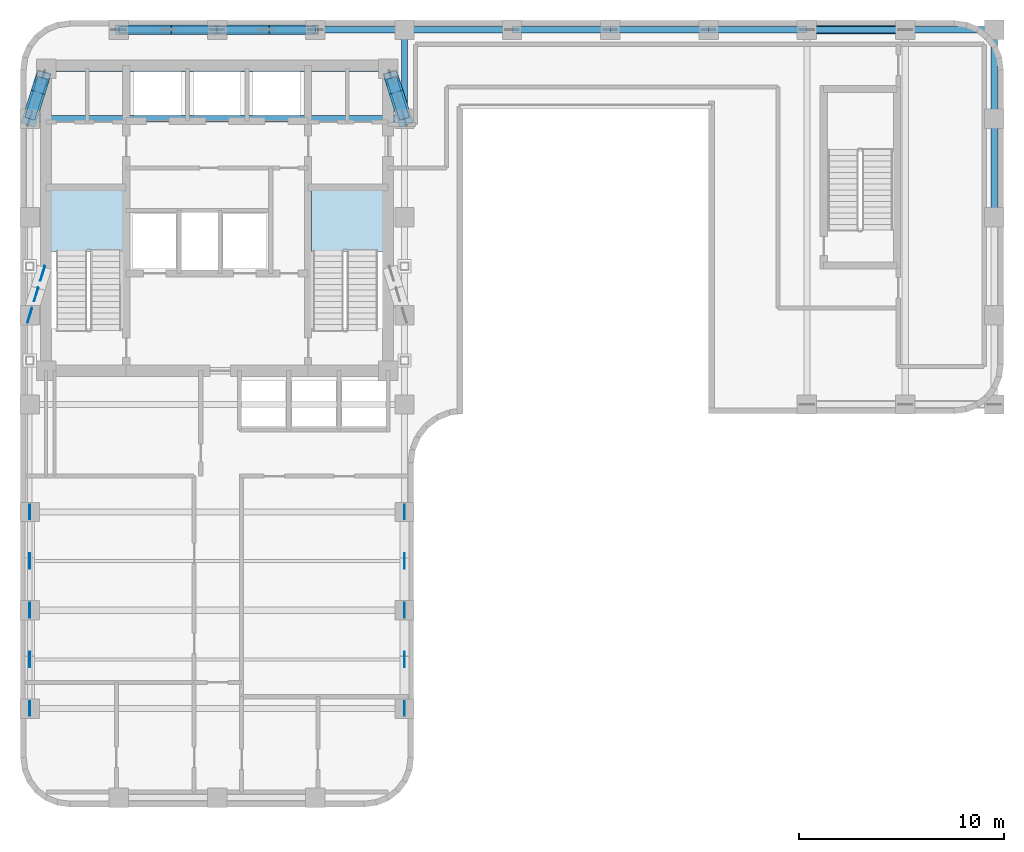
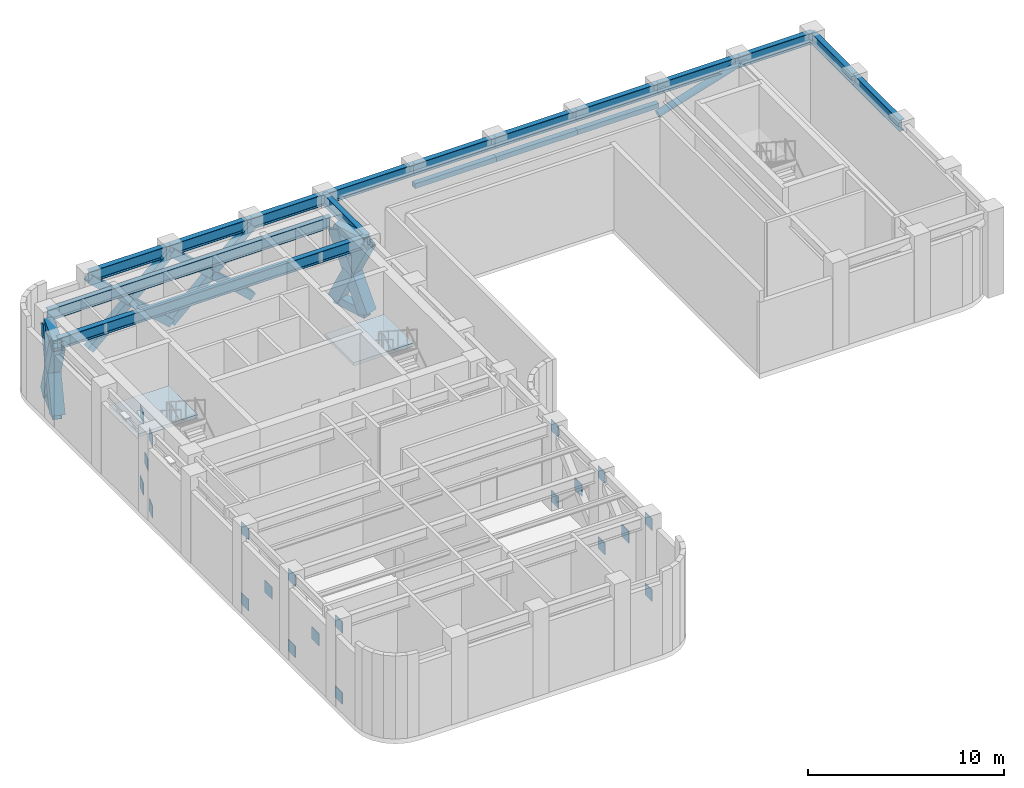
# One storey, part 2 of 9: 21 plates, 20 members, 14 beams, 2 slabs, 2 elements without a shape of their own.
"""IFC4 building model written with IfcOpenShell, lengths in metres."""

from ifc_helpers import new_model, si_unit, direction, frame, origin, origin_2d, place, context, subcontext, project, spatial, polyline, rectangle, hollow_rectangle, hollow_circle, i_section, outline, extrude, material, layer, layer_set, material_profile, profile_set, type_object, element, aggregate, save


model = new_model("IFC4")

# Units and contexts
model_context = context("Model", 3, precision=1e-05, world=origin(), true_north=direction((0.0, 1.0)))
body_context = subcontext(model_context, "Body", "Model", "MODEL_VIEW")
ifc_project = project(units=[si_unit("LENGTHUNIT", "METRE"), si_unit("AREAUNIT", "SQUARE_METRE"), si_unit("VOLUMEUNIT", "CUBIC_METRE"), si_unit("PLANEANGLEUNIT", "RADIAN"), si_unit("MASSUNIT", "GRAM", prefix="KILO")], contexts=[model_context])

# Site, building, storey
site_placement = place(None, origin())
site = spatial("IfcSite", under=ifc_project, at=site_placement, CompositionType="ELEMENT")
building_placement = place(site_placement, origin())
building = spatial("IfcBuilding", under=site, at=building_placement, Name="Orvandelia Arch Residences", CompositionType="ELEMENT")
storey_placement = place(building_placement, frame((0.0, 0.0, 198.39990234375)))
storey = spatial("IfcBuildingStorey", under=building, at=storey_placement, Name="L52", CompositionType="ELEMENT", Elevation=198.39990234375)

# Beams
ifc_material_1 = material(Name="Structural Steel SM355 (355 MPa)", Category="steel")
ifc_material_profile_1 = material_profile(ifc_material_1, i_section(OverallWidth=0.300048828125, OverallDepth=0.699951171875, WebThickness=0.012939453125, FlangeThickness=0.02392578125, FilletRadius=0.02392578125, at=origin_2d()), Name="Structural Steel SM355 (355 MPa)", Category="steel")
ifc_profile_set_1 = profile_set([ifc_material_profile_1], Name="Structural Steel SM355 (355 MPa)")
beam_type = type_object("IfcBeamType", Name="BM-GRD-H700", PredefinedType="BEAM", material=ifc_profile_set_1)
beam_1_placement = place(storey_placement, frame((23.550048828125, 43.199951171875, 4.830078125), z_axis=(0.0, 1.0, 0.0), x_axis=(-1.0, 0.0, 0.0)))
element("IfcBeam", 1, at=beam_1_placement, inside=storey, type_object=beam_type, Name="Structural Frame Beam L52-NS-015", PredefinedType="BEAM", context=body_context, shape_type="SweptSolid", body=[
    extrude(i_section(OverallWidth=0.300048828125, OverallDepth=0.699951171875, WebThickness=0.012939453125, FlangeThickness=0.02392578125, FilletRadius=0.02392578125, at=origin_2d()), origin(), (0.0, 0.0, 1.0), 4.35009765625),
])
beam_2_placement = place(storey_placement, frame((52.35009765625, 38.39990234375, 4.830078125), z_axis=(0.0, 1.0, 0.0), x_axis=(-1.0, 0.0, 0.0)))
element("IfcBeam", 2, at=beam_2_placement, inside=storey, type_object=beam_type, Name="Structural Frame Beam L52-NS-020", PredefinedType="BEAM", context=body_context, shape_type="SweptSolid", body=[
    extrude(i_section(OverallWidth=0.300048828125, OverallDepth=0.699951171875, WebThickness=0.012939453125, FlangeThickness=0.02392578125, FilletRadius=0.02392578125, at=origin_2d()), origin(), (0.0, 0.0, 1.0), 4.800048828125),
])
beam_3_placement = place(storey_placement, frame((52.35009765625, 43.199951171875, 4.830078125), z_axis=(0.0, 1.0, 0.0), x_axis=(-1.0, 0.0, 0.0)))
element("IfcBeam", 3, at=beam_3_placement, inside=storey, type_object=beam_type, Name="Structural Frame Beam L52-NS-021", PredefinedType="BEAM", context=body_context, shape_type="SweptSolid", body=[
    extrude(i_section(OverallWidth=0.300048828125, OverallDepth=0.699951171875, WebThickness=0.012939453125, FlangeThickness=0.02392578125, FilletRadius=0.02392578125, at=origin_2d()), origin(), (0.0, 0.0, 1.0), 4.35009765625),
])
beam_4_placement = place(storey_placement, frame((5.25, 43.199951171875, 4.830078125), z_axis=(1.0, 0.0, 0.0), x_axis=(0.0, 1.0, 0.0)))
element("IfcBeam", 4, at=beam_4_placement, inside=storey, type_object=beam_type, Name="Structural Frame Girder L52-EW-033", PredefinedType="BEAM", context=body_context, shape_type="SweptSolid", body=[
    extrude(i_section(OverallWidth=0.300048828125, OverallDepth=0.699951171875, WebThickness=0.012939453125, FlangeThickness=0.02392578125, FilletRadius=0.02392578125, at=origin_2d()), origin(), (0.0, 0.0, 1.0), 18.300048828125),
])
beam_5_placement = place(storey_placement, frame((6.050048828125, 45.64990234375, 4.830078125), z_axis=(1.0, 0.0, 0.0), x_axis=(0.0, 1.0, 0.0)))
element("IfcBeam", 5, at=beam_5_placement, inside=storey, type_object=beam_type, Name="Structural Frame Girder L52-EW-034", PredefinedType="BEAM", context=body_context, shape_type="SweptSolid", body=[
    extrude(i_section(OverallWidth=0.300048828125, OverallDepth=0.699951171875, WebThickness=0.012939453125, FlangeThickness=0.02392578125, FilletRadius=0.02392578125, at=origin_2d()), origin(), (0.0, 0.0, 1.0), 16.699951171875),
])
beam_6_placement = place(storey_placement, frame((9.60009765625, 47.550048828125, 4.830078125), z_axis=(1.0, 0.0, 0.0), x_axis=(0.0, 1.0, 0.0)))
element("IfcBeam", 6, at=beam_6_placement, inside=storey, type_object=beam_type, Name="Structural Frame Girder L52-EW-035", PredefinedType="BEAM", context=body_context, shape_type="SweptSolid", body=[
    extrude(i_section(OverallWidth=0.300048828125, OverallDepth=0.699951171875, WebThickness=0.012939453125, FlangeThickness=0.02392578125, FilletRadius=0.02392578125, at=origin_2d()), origin(), (0.0, 0.0, 1.0), 4.7998046875),
])
beam_7_placement = place(storey_placement, frame((14.39990234375, 47.550048828125, 4.830078125), z_axis=(1.0, 0.0, 0.0), x_axis=(0.0, 1.0, 0.0)))
element("IfcBeam", 7, at=beam_7_placement, inside=storey, type_object=beam_type, Name="Structural Frame Girder L52-EW-036", PredefinedType="BEAM", context=body_context, shape_type="SweptSolid", body=[
    extrude(i_section(OverallWidth=0.300048828125, OverallDepth=0.699951171875, WebThickness=0.012939453125, FlangeThickness=0.02392578125, FilletRadius=0.02392578125, at=origin_2d()), origin(), (0.0, 0.0, 1.0), 4.800048828125),
])
beam_8_placement = place(storey_placement, frame((19.199951171875, 47.550048828125, 4.830078125), z_axis=(1.0, 0.0, 0.0), x_axis=(0.0, 1.0, 0.0)))
element("IfcBeam", 8, at=beam_8_placement, inside=storey, type_object=beam_type, Name="Structural Frame Girder L52-EW-037", PredefinedType="BEAM", context=body_context, shape_type="SweptSolid", body=[
    extrude(i_section(OverallWidth=0.300048828125, OverallDepth=0.699951171875, WebThickness=0.012939453125, FlangeThickness=0.02392578125, FilletRadius=0.02392578125, at=origin_2d()), origin(), (0.0, 0.0, 1.0), 4.35009765625),
])
beam_9_placement = place(storey_placement, frame((23.550048828125, 47.550048828125, 4.830078125), z_axis=(1.0, 0.0, 0.0), x_axis=(0.0, 1.0, 0.0)))
element("IfcBeam", 9, at=beam_9_placement, inside=storey, type_object=beam_type, Name="Structural Frame Girder L52-EW-038", PredefinedType="BEAM", context=body_context, shape_type="SweptSolid", body=[
    extrude(i_section(OverallWidth=0.300048828125, OverallDepth=0.699951171875, WebThickness=0.012939453125, FlangeThickness=0.02392578125, FilletRadius=0.02392578125, at=origin_2d()), origin(), (0.0, 0.0, 1.0), 5.25),
])
beam_10_placement = place(storey_placement, frame((28.800048828125, 47.550048828125, 4.830078125), z_axis=(1.0, 0.0, 0.0), x_axis=(0.0, 1.0, 0.0)))
element("IfcBeam", 10, at=beam_10_placement, inside=storey, type_object=beam_type, Name="Structural Frame Girder L52-EW-039", PredefinedType="BEAM", context=body_context, shape_type="SweptSolid", body=[
    extrude(i_section(OverallWidth=0.300048828125, OverallDepth=0.699951171875, WebThickness=0.012939453125, FlangeThickness=0.02392578125, FilletRadius=0.02392578125, at=origin_2d()), origin(), (0.0, 0.0, 1.0), 4.800048828125),
])
beam_11_placement = place(storey_placement, frame((33.60009765625, 47.550048828125, 4.830078125), z_axis=(1.0, 0.0, 0.0), x_axis=(0.0, 1.0, 0.0)))
element("IfcBeam", 11, at=beam_11_placement, inside=storey, type_object=beam_type, Name="Structural Frame Girder L52-EW-040", PredefinedType="BEAM", context=body_context, shape_type="SweptSolid", body=[
    extrude(i_section(OverallWidth=0.300048828125, OverallDepth=0.699951171875, WebThickness=0.012939453125, FlangeThickness=0.02392578125, FilletRadius=0.02392578125, at=origin_2d()), origin(), (0.0, 0.0, 1.0), 4.7998046875),
])
for number, where, z_axis, x_axis, name in (
    (12, (38.39990234375, 47.550048828125, 4.830078125), (1.0, 0.0, 0.0), (0.0, 1.0, 0.0), "Structural Frame Girder L52-EW-041"),
    (13, (43.199951171875, 47.550048828125, 4.830078125), (1.0, 0.0, 0.0), (0.0, 1.0, 0.0), "Structural Frame Girder L52-EW-042"),
):
    element("IfcBeam", number, at=place(storey_placement, frame(where, z_axis=z_axis, x_axis=x_axis)), inside=storey, type_object=beam_type, Name=name, PredefinedType="BEAM", context=body_context, shape_type="SweptSolid", body=[
        extrude(i_section(OverallWidth=0.300048828125, OverallDepth=0.699951171875, WebThickness=0.012939453125, FlangeThickness=0.02392578125, FilletRadius=0.02392578125, at=origin_2d()), origin(), (0.0, 0.0, 1.0), 4.800048828125),
    ])
beam_12_placement = place(storey_placement, frame((48.0, 47.550048828125, 4.830078125), z_axis=(1.0, 0.0, 0.0), x_axis=(0.0, 1.0, 0.0)))
element("IfcBeam", 14, at=beam_12_placement, inside=storey, type_object=beam_type, Name="Structural Frame Girder L52-EW-043", PredefinedType="BEAM", context=body_context, shape_type="SweptSolid", body=[
    extrude(i_section(OverallWidth=0.300048828125, OverallDepth=0.699951171875, WebThickness=0.012939453125, FlangeThickness=0.02392578125, FilletRadius=0.02392578125, at=origin_2d()), origin(), (0.0, 0.0, 1.0), 4.35009765625),
])

# Members
ifc_material_2 = material(Name="Structural Steel HSA650 (650 MPa)", Category="steel")
ifc_material_profile_2 = material_profile(ifc_material_2, hollow_rectangle(XDim=0.449951171875, YDim=0.449951171875, WallThickness=0.02490234375, at=origin_2d()), Name="Structural Steel HSA650 (650 MPa)", Category="steel")
ifc_profile_set_2 = profile_set([ifc_material_profile_2], Name="Structural Steel HSA650 (650 MPa)")
member_type_1 = type_object("IfcMemberType", Name="MBR-BELT-DIAG", PredefinedType="BRACE", material=ifc_profile_set_2)
member_1_placement = place(storey_placement, frame((9.60009765625, 47.550048828125, 0.300048828125), z_axis=(0.734853598546, 0.0, 0.678225765291), x_axis=(0.0, 1.0, 0.0)))
element("IfcMember", 15, at=member_1_placement, inside=storey, type_object=member_type_1, Name="Perimeter Belt Truss Diagonal L52-BN-1-1", PredefinedType="BRACE", context=body_context, shape_type="SweptSolid", body=[
    extrude(hollow_rectangle(XDim=0.449951171875, YDim=0.449951171875, WallThickness=0.02490234375, at=origin_2d()), origin(), (0.0, 0.0, 1.0), 6.53173828125),
])
member_2_placement = place(storey_placement, frame((14.39990234375, 47.550048828125, 0.300048828125), z_axis=(-0.734852389605, 0.0, 0.678227075169), x_axis=(0.0, -1.0, 0.0)))
element("IfcMember", 16, at=member_2_placement, inside=storey, type_object=member_type_1, Name="Perimeter Belt Truss Split Diagonal Lower L52-BN-1-2A", PredefinedType="BRACE", context=body_context, shape_type="SweptSolid", body=[
    extrude(hollow_rectangle(XDim=0.449951171875, YDim=0.449951171875, WallThickness=0.02490234375, at=origin_2d()), origin(), (0.0, 0.0, 1.0), 3.2509765625),
])
member_3_placement = place(storey_placement, frame((11.989013671875, 47.550048828125, 2.525390625), z_axis=(-0.734889819935, 0.0, 0.678186517528), x_axis=(0.0, -1.0, 0.0)))
element("IfcMember", 17, at=member_3_placement, inside=storey, type_object=member_type_1, Name="Perimeter Belt Truss Split Diagonal Upper L52-BN-1-2B", PredefinedType="BRACE", context=body_context, shape_type="SweptSolid", body=[
    extrude(hollow_rectangle(XDim=0.449951171875, YDim=0.449951171875, WallThickness=0.02490234375, at=origin_2d()), origin(), (0.0, 0.0, 1.0), 3.250732421875),
])
member_4_placement = place(storey_placement, frame((14.39990234375, 47.550048828125, 0.300048828125), z_axis=(0.7348707914, 0.0, 0.678207136461), x_axis=(0.0, 1.0, 0.0)))
element("IfcMember", 18, at=member_4_placement, inside=storey, type_object=member_type_1, Name="Perimeter Belt Truss Diagonal L52-BN-2-1", PredefinedType="BRACE", context=body_context, shape_type="SweptSolid", body=[
    extrude(hollow_rectangle(XDim=0.449951171875, YDim=0.449951171875, WallThickness=0.02490234375, at=origin_2d()), origin(), (0.0, 0.0, 1.0), 6.53173828125),
])
for number, where, z_axis, x_axis, name in (
    (19, (19.199951171875, 47.550048828125, 0.300048828125), (-0.734852389605, 0.0, 0.678227075169), (0.0, -1.0, 0.0), "Perimeter Belt Truss Split Diagonal Lower L52-BN-2-2A"),
    (20, (16.7890625, 47.550048828125, 2.525390625), (-0.734924360047, 0.0, 0.678149087597), (0.0, -1.0, 0.0), "Perimeter Belt Truss Split Diagonal Upper L52-BN-2-2B"),
):
    element("IfcMember", number, at=place(storey_placement, frame(where, z_axis=z_axis, x_axis=x_axis)), inside=storey, type_object=member_type_1, Name=name, PredefinedType="BRACE", context=body_context, shape_type="SweptSolid", body=[
        extrude(hollow_rectangle(XDim=0.449951171875, YDim=0.449951171875, WallThickness=0.02490234375, at=origin_2d()), origin(), (0.0, 0.0, 1.0), 3.2509765625),
    ])
ifc_material_profile_3 = material_profile(ifc_material_1, hollow_rectangle(XDim=0.300048828125, YDim=0.300048828125, WallThickness=0.01611328125, at=origin_2d()), Name="Structural Steel SM355 (355 MPa)", Category="steel")
ifc_profile_set_3 = profile_set([ifc_material_profile_3], Name="Structural Steel SM355 (355 MPa)")
member_type_2 = type_object("IfcMemberType", Name="MBR-BRG-STRUT", PredefinedType="STRUT", material=ifc_profile_set_3)
member_5_placement = place(storey_placement, frame((28.800048828125, 47.550048828125, 3.800048828125), z_axis=(1.0, 0.0, 0.0), x_axis=(0.0, 1.0, 0.0)))
element("IfcMember", 21, at=member_5_placement, inside=storey, type_object=member_type_2, Name="Mechanical Deck Collector Strut BS-4", PredefinedType="STRUT", context=body_context, shape_type="SweptSolid", body=[
    extrude(hollow_rectangle(XDim=0.300048828125, YDim=0.300048828125, WallThickness=0.01611328125, at=origin_2d()), origin(), (0.0, 0.0, 1.0), 4.800048828125),
])
member_6_placement = place(storey_placement, frame((33.60009765625, 47.550048828125, 3.800048828125), z_axis=(1.0, 0.0, 0.0), x_axis=(0.0, 1.0, 0.0)))
element("IfcMember", 22, at=member_6_placement, inside=storey, type_object=member_type_2, Name="Mechanical Deck Collector Strut BS-5", PredefinedType="STRUT", context=body_context, shape_type="SweptSolid", body=[
    extrude(hollow_rectangle(XDim=0.300048828125, YDim=0.300048828125, WallThickness=0.01611328125, at=origin_2d()), origin(), (0.0, 0.0, 1.0), 4.7998046875),
])
member_7_placement = place(storey_placement, frame((38.39990234375, 47.550048828125, 3.800048828125), z_axis=(1.0, 0.0, 0.0), x_axis=(0.0, 1.0, 0.0)))
element("IfcMember", 23, at=member_7_placement, inside=storey, type_object=member_type_2, Name="Mechanical Deck Collector Strut BS-6", PredefinedType="STRUT", context=body_context, shape_type="SweptSolid", body=[
    extrude(hollow_rectangle(XDim=0.300048828125, YDim=0.300048828125, WallThickness=0.01611328125, at=origin_2d()), origin(), (0.0, 0.0, 1.0), 4.800048828125),
])
ifc_material_profile_4 = material_profile(ifc_material_2, hollow_circle(Radius=0.203125, WallThickness=0.01611328125, at=origin_2d()), Name="Structural Steel HSA650 (650 MPa)", Category="steel")
ifc_profile_set_4 = profile_set([ifc_material_profile_4], Name="Structural Steel HSA650 (650 MPa)")
member_type_3 = type_object("IfcMemberType", Name="MBR-NOTCH-STRUT", PredefinedType="STRUT", material=ifc_profile_set_4)
member_8_placement = place(storey_placement, frame((43.199951171875, 47.550048828125, 3.2001953125), z_axis=(0.955608602252, 0.0, 0.294639100089), x_axis=(0.0, 1.0, 0.0)))
element("IfcMember", 24, at=member_8_placement, inside=storey, type_object=member_type_3, Name="Faceted Sky-Garden Soffit Strut L52-3", PredefinedType="STRUT", context=body_context, shape_type="SweptSolid", body=[
    extrude(hollow_circle(Radius=0.203125, WallThickness=0.01611328125, at=origin_2d()), origin(), (0.0, 0.0, 1.0), 5.02294921875),
])
ifc_material_profile_5 = material_profile(ifc_material_2, hollow_rectangle(XDim=0.5, YDim=0.5, WallThickness=0.028076171875, at=origin_2d()), Name="Structural Steel HSA650 (650 MPa)", Category="steel")
ifc_profile_set_5 = profile_set([ifc_material_profile_5], Name="Structural Steel HSA650 (650 MPa)")
member_type_4 = type_object("IfcMemberType", Name="MBR-OUTRIGGER-CHORD", PredefinedType="CHORD", material=ifc_profile_set_5)
for number, where, z_axis, x_axis, name in (
    (25, (5.25, 43.199951171875, 0.300048828125), (0.300395730258, 0.953814659796, 0.0), (-0.953814659796, 0.300395730258, 0.0), "Outrigger Bottom Chord L52-OW-N"),
    (26, (5.25, 43.199951171875, 4.72998046875), (0.300395730258, 0.953814659796, 0.0), (-0.953814659796, 0.300395730258, 0.0), "Outrigger Top Chord L52-OW-N"),
    (27, (23.550048828125, 43.199951171875, 0.300048828125), (-0.30050165057, 0.95378129464, 0.0), (-0.95378129464, -0.30050165057, 0.0), "Outrigger Bottom Chord L52-OE-N"),
    (28, (23.550048828125, 43.199951171875, 4.72998046875), (-0.30050165057, 0.95378129464, 0.0), (-0.95378129464, -0.30050165057, 0.0), "Outrigger Top Chord L52-OE-N"),
):
    element("IfcMember", number, at=place(storey_placement, frame(where, z_axis=z_axis, x_axis=x_axis)), inside=storey, type_object=member_type_4, Name=name, PredefinedType="CHORD", context=body_context, shape_type="SweptSolid", body=[
        extrude(hollow_rectangle(XDim=0.5, YDim=0.5, WallThickness=0.028076171875, at=origin_2d()), origin(), (0.0, 0.0, 1.0), 2.096923828125),
    ])
ifc_material_profile_6 = material_profile(ifc_material_2, hollow_rectangle(XDim=0.699951171875, YDim=0.699951171875, WallThickness=0.0400390625, at=origin_2d()), Name="Structural Steel HSA650 (650 MPa)", Category="steel")
ifc_profile_set_6 = profile_set([ifc_material_profile_6], Name="Structural Steel HSA650 (650 MPa)")
member_type_5 = type_object("IfcMemberType", Name="MBR-OUTRIGGER-DIAG", PredefinedType="BRACE", material=ifc_profile_set_6)
member_9_placement = place(storey_placement, frame((5.25, 43.199951171875, 0.35009765625), z_axis=(0.130923828866, 0.415708529486, 0.900025204951), x_axis=(-0.953814659796, 0.300395730258, 0.0)))
element("IfcMember", 29, at=member_9_placement, inside=storey, type_object=member_type_5, Name="Outrigger Web Diagonal L52-OW-N-1", PredefinedType="BRACE", context=body_context, shape_type="SweptSolid", body=[
    extrude(hollow_rectangle(XDim=0.699951171875, YDim=0.699951171875, WallThickness=0.0400390625, at=origin_2d()), origin(), (0.0, 0.0, 1.0), 4.81103515625),
])
for number, where, z_axis, x_axis, name in (
    (30, (5.8798828125, 45.199951171875, 0.35009765625), (-0.130927211059, -0.415658150553, 0.900047980545), (0.953802003461, -0.300435913621, 0.0), "Outrigger Split Diagonal Lower L52-OW-N-2A"),
    (31, (5.56298828125, 44.19384765625, 2.528564453125), (-0.130921652863, -0.415742627774, 0.900009771204), (0.953823149154, -0.300368773573, 0.0), "Outrigger Split Diagonal Upper L52-OW-N-2B"),
):
    element("IfcMember", number, at=place(storey_placement, frame(where, z_axis=z_axis, x_axis=x_axis)), inside=storey, type_object=member_type_5, Name=name, PredefinedType="BRACE", context=body_context, shape_type="SweptSolid", body=[
        extrude(hollow_rectangle(XDim=0.699951171875, YDim=0.699951171875, WallThickness=0.0400390625, at=origin_2d()), origin(), (0.0, 0.0, 1.0), 2.390625),
    ])
member_10_placement = place(storey_placement, frame((23.550048828125, 43.199951171875, 0.35009765625), z_axis=(-0.130973704205, 0.415705767087, 0.900019224249), x_axis=(-0.95378129464, -0.30050165057, 0.0)))
element("IfcMember", 32, at=member_10_placement, inside=storey, type_object=member_type_5, Name="Outrigger Web Diagonal L52-OE-N-1", PredefinedType="BRACE", context=body_context, shape_type="SweptSolid", body=[
    extrude(hollow_rectangle(XDim=0.699951171875, YDim=0.699951171875, WallThickness=0.0400390625, at=origin_2d()), origin(), (0.0, 0.0, 1.0), 4.81103515625),
])
for number, where, z_axis, x_axis, name in (
    (33, (22.919921875, 45.199951171875, 0.35009765625), (0.130927211059, -0.415658150553, 0.900047980545), (0.953802003461, 0.300435913621, 0.0), "Outrigger Split Diagonal Lower L52-OE-N-2A"),
    (34, (23.237060546875, 44.19384765625, 2.528564453125), (0.130921652863, -0.415742627774, 0.900009771204), (0.953823149154, 0.300368773573, 0.0), "Outrigger Split Diagonal Upper L52-OE-N-2B"),
):
    element("IfcMember", number, at=place(storey_placement, frame(where, z_axis=z_axis, x_axis=x_axis)), inside=storey, type_object=member_type_5, Name=name, PredefinedType="BRACE", context=body_context, shape_type="SweptSolid", body=[
        extrude(hollow_rectangle(XDim=0.699951171875, YDim=0.699951171875, WallThickness=0.0400390625, at=origin_2d()), origin(), (0.0, 0.0, 1.0), 2.390625),
    ])

# Plates
ifc_layer_1 = layer(ifc_material_2, 0.0400390625, Name="Structural Steel HSA650 (650 MPa)", Category="steel")
ifc_layer_set_1 = layer_set([ifc_layer_1], Name="Structural Steel HSA650 (650 MPa)")
plate_type_1 = type_object("IfcPlateType", Name="PLT-GUSSET-720", PredefinedType="USERDEFINED", material=ifc_layer_set_1)
for number, where, z_axis, x_axis, name in (
    (35, (5.25, 14.39990234375, -0.06005859375), (0.0, 0.0, 1.0), (0.0, 1.0, 0.0), "Belt Truss End Gusset Plate L52-BW-1-ALO"),
    (36, (5.25, 19.199951171875, -0.06005859375), (0.0, 0.0, 1.0), (0.0, 1.0, 0.0), "Belt Truss End Gusset Plate L52-BW-1-BLO"),
    (37, (5.25, 14.39990234375, 4.3701171875), (0.0, 0.0, 1.0), (0.0, 1.0, 0.0), "Belt Truss End Gusset Plate L52-BW-1-AHI"),
    (38, (5.25, 19.199951171875, 4.3701171875), (0.0, 0.0, 1.0), (0.0, 1.0, 0.0), "Belt Truss End Gusset Plate L52-BW-1-BHI"),
    (39, (5.25, 24.0, -0.06005859375), (0.0, 0.0, 1.0), (0.0, 1.0, 0.0), "Belt Truss End Gusset Plate L52-BW-2-BLO"),
    (40, (5.25, 24.0, 4.3701171875), (0.0, 0.0, 1.0), (0.0, 1.0, 0.0), "Belt Truss End Gusset Plate L52-BW-2-BHI"),
    (41, (23.550048828125, 14.39990234375, -0.06005859375), (0.0, 0.0, 1.0), (0.0, 1.0, 0.0), "Belt Truss End Gusset Plate L52-BE-1-ALO"),
    (42, (23.550048828125, 19.199951171875, -0.06005859375), (0.0, 0.0, 1.0), (0.0, 1.0, 0.0), "Belt Truss End Gusset Plate L52-BE-1-BLO"),
    (43, (23.550048828125, 14.39990234375, 4.3701171875), (0.0, 0.0, 1.0), (0.0, 1.0, 0.0), "Belt Truss End Gusset Plate L52-BE-1-AHI"),
    (44, (23.550048828125, 19.199951171875, 4.3701171875), (0.0, 0.0, 1.0), (0.0, 1.0, 0.0), "Belt Truss End Gusset Plate L52-BE-1-BHI"),
    (45, (23.550048828125, 24.0, -0.06005859375), (0.0, 0.0, 1.0), (0.0, 1.0, 0.0), "Belt Truss End Gusset Plate L52-BE-2-BLO"),
    (46, (23.550048828125, 24.0, 4.3701171875), (0.0, 0.0, 1.0), (0.0, 1.0, 0.0), "Belt Truss End Gusset Plate L52-BE-2-BHI"),
):
    element("IfcPlate", number, at=place(storey_placement, frame(where, z_axis=z_axis, x_axis=x_axis)), inside=storey, type_object=plate_type_1, Name=name, ObjectType="GUSSET_PLATE", PredefinedType="USERDEFINED", context=body_context, shape_type="SweptSolid", body=[
        extrude(rectangle(XDim=0.719970703125, YDim=0.0400390625, at=origin_2d()), origin(), (0.0, 0.0, 1.0), 0.719970703125),
    ])
ifc_layer_2 = layer(ifc_material_2, 0.0400390625, Name="Structural Steel HSA650 (650 MPa)", Category="steel")
ifc_layer_set_2 = layer_set([ifc_layer_2], Name="Structural Steel HSA650 (650 MPa)")
plate_type_2 = type_object("IfcPlateType", Name="PLT-GUSSET-750", PredefinedType="USERDEFINED", material=ifc_layer_set_2)
for number, where, z_axis, x_axis, name in (
    (47, (5.25, 33.60009765625, -0.074951171875), (0.0, 0.0, 1.0), (0.293756722797, 0.955880216246, 0.0), "Outrigger End Gusset Plate L52-OW-S-ALO"),
    (48, (5.8798828125, 35.64990234375, -0.074951171875), (0.0, 0.0, 1.0), (0.293756722797, 0.955880216246, 0.0), "Outrigger End Gusset Plate L52-OW-S-BLO"),
    (49, (5.25, 33.60009765625, 4.35498046875), (0.0, 0.0, 1.0), (0.293756722797, 0.955880216246, 0.0), "Outrigger End Gusset Plate L52-OW-S-AHI"),
    (50, (5.8798828125, 35.64990234375, 4.35498046875), (0.0, 0.0, 1.0), (0.293756722797, 0.955880216246, 0.0), "Outrigger End Gusset Plate L52-OW-S-BHI"),
):
    element("IfcPlate", number, at=place(storey_placement, frame(where, z_axis=z_axis, x_axis=x_axis)), inside=storey, type_object=plate_type_2, Name=name, ObjectType="GUSSET_PLATE", PredefinedType="USERDEFINED", context=body_context, shape_type="SweptSolid", body=[
        extrude(rectangle(XDim=0.75, YDim=0.0400390625, at=origin_2d()), origin(), (0.0, 0.0, 1.0), 0.75),
    ])
ifc_layer_3 = layer(ifc_material_1, 0.035888671875, Name="Structural Steel SM355 (355 MPa)", Category="steel")
ifc_layer_set_3 = layer_set([ifc_layer_3], Name="Structural Steel SM355 (355 MPa)")
plate_type_3 = type_object("IfcPlateType", Name="PLT-NODE-700", PredefinedType="SHEET", material=ifc_layer_set_3)
plate_placement = place(storey_placement, frame((5.56494140625, 34.625, 2.1650390625), z_axis=(0.0, 0.0, 1.0), x_axis=(0.293756722797, 0.955880216246, 0.0)))
element("IfcPlate", 51, at=plate_placement, inside=storey, type_object=plate_type_3, Name="Outrigger X-Node Gusset Plate L52-OW-S", PredefinedType="SHEET", context=body_context, shape_type="SweptSolid", body=[
    extrude(rectangle(XDim=0.699951171875, YDim=0.035888671875, at=origin_2d()), origin(), (0.0, 0.0, 1.0), 0.699951171875),
])
ifc_layer_4 = layer(ifc_material_1, 0.035888671875, Name="Structural Steel SM355 (355 MPa)", Category="steel")
ifc_layer_set_4 = layer_set([ifc_layer_4], Name="Structural Steel SM355 (355 MPa)")
plate_type_4 = type_object("IfcPlateType", Name="PLT-NODE-750", PredefinedType="SHEET", material=ifc_layer_set_4)
for number, where, z_axis, x_axis, name in (
    (52, (5.25, 16.800048828125, 2.14013671875), (0.0, 0.0, 1.0), (0.0, 1.0, 0.0), "Belt Truss X-Node Gusset Plate L52-BW-1"),
    (53, (5.25, 21.60009765625, 2.14013671875), (0.0, 0.0, 1.0), (0.0, 1.0, 0.0), "Belt Truss X-Node Gusset Plate L52-BW-2"),
    (54, (23.550048828125, 16.800048828125, 2.14013671875), (0.0, 0.0, 1.0), (0.0, 1.0, 0.0), "Belt Truss X-Node Gusset Plate L52-BE-1"),
    (55, (23.550048828125, 21.60009765625, 2.14013671875), (0.0, 0.0, 1.0), (0.0, 1.0, 0.0), "Belt Truss X-Node Gusset Plate L52-BE-2"),
):
    element("IfcPlate", number, at=place(storey_placement, frame(where, z_axis=z_axis, x_axis=x_axis)), inside=storey, type_object=plate_type_4, Name=name, PredefinedType="SHEET", context=body_context, shape_type="SweptSolid", body=[
        extrude(rectangle(XDim=0.75, YDim=0.035888671875, at=origin_2d()), origin(), (0.0, 0.0, 1.0), 0.75),
    ])

# Stair, slab
ifc_material_3 = material(Name="Concrete C40/50", Category="concrete")
stair_type = type_object("IfcStairType", Name="STAIR-RC-DOGLEG", PredefinedType="HALF_TURN_STAIR", material=ifc_material_3)
stair_1_placement = place(storey_placement, origin())
stair_1 = element("IfcStair", 56, at=stair_1_placement, inside=storey, type_object=stair_type, Name="L52 Protected Exit Stair ST-1", PredefinedType="HALF_TURN_STAIR")
ifc_layer_5 = layer(ifc_material_3, 0.219970703125, Name="Concrete C40/50", Category="concrete")
ifc_layer_set_5 = layer_set([ifc_layer_5], Name="Concrete C40/50")
slab_type = type_object("IfcSlabType", Name="SLB-LANDING-220", PredefinedType="LANDING", material=ifc_layer_set_5)
slab_1_placement = place(storey_placement, frame((0.0, 0.0, 2.5)))
slab_1 = element("IfcSlab", 57, at=slab_1_placement, type_object=slab_type, Name="ST-1 landing 1", PredefinedType="LANDING", context=body_context, shape_type="SweptSolid", body=[
    extrude(outline(polyline([(9.800048828125, 36.7099609375), (9.800048828125, 39.68994140625), (6.260009765625, 39.68994140625), (6.260009765625, 36.7099609375), (9.800048828125, 36.7099609375)])), origin(), (0.0, 0.0, 1.0), 0.2001953125),
])
aggregate(stair_1, [slab_1])

stair_2_placement = place(storey_placement, origin())
stair_2 = element("IfcStair", 58, at=stair_2_placement, inside=storey, type_object=stair_type, Name="L52 Protected Exit Stair ST-2", PredefinedType="HALF_TURN_STAIR")
slab_2_placement = place(storey_placement, frame((0.0, 0.0, 2.5)))
slab_2 = element("IfcSlab", 59, at=slab_2_placement, type_object=slab_type, Name="ST-2 landing 1", PredefinedType="LANDING", context=body_context, shape_type="SweptSolid", body=[
    extrude(outline(polyline([(22.5400390625, 36.7099609375), (22.5400390625, 39.68994140625), (19.0, 39.68994140625), (19.0, 36.7099609375), (22.5400390625, 36.7099609375)])), origin(), (0.0, 0.0, 1.0), 0.2001953125),
])
aggregate(stair_2, [slab_2])

save(model, "model.ifc")
